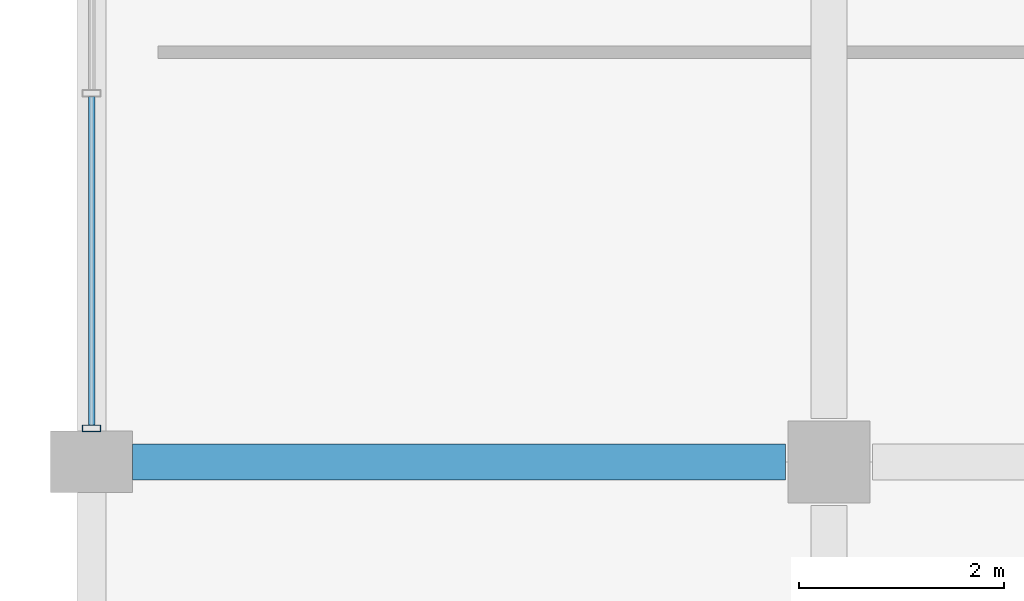
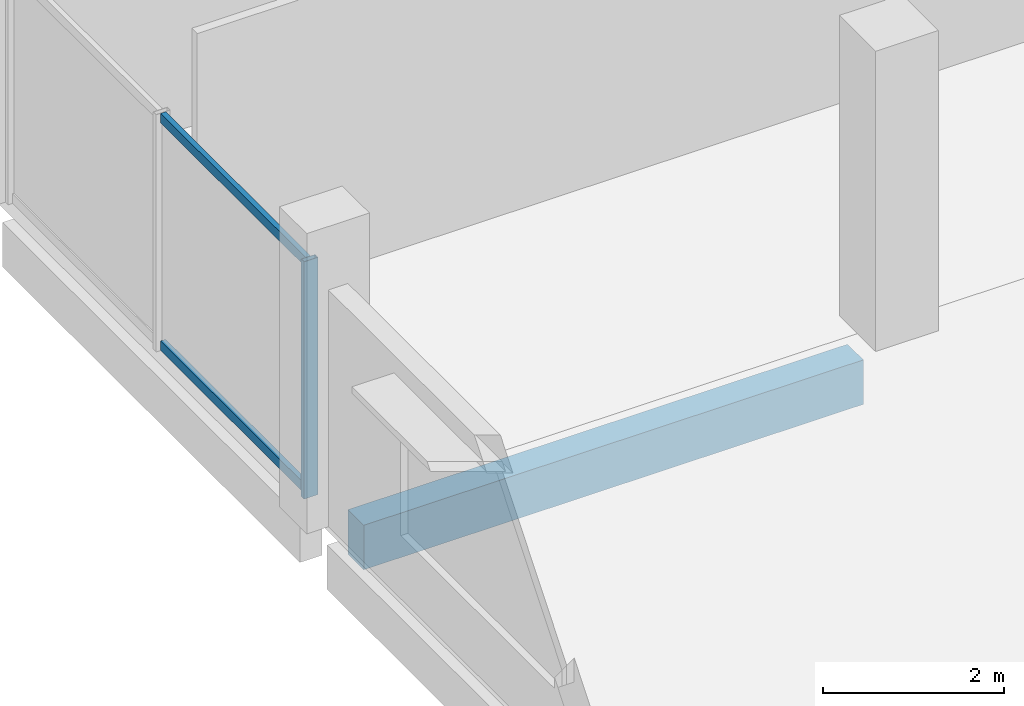
# One storey, part 11 of 108: 3 members, 1 beam, 1 element without a shape of its own.
"""IFC4 building model written with IfcOpenShell, lengths in metres."""

import ifcopenshell
import ifcopenshell.guid

model = None  # the IFC model being written
_history = None  # IfcOwnerHistory: only IFC2X3 demands one
_inside = {}  # id of a spatial element -> (the spatial element, [elements in it])
_under = {}  # id of a project, library or spatial element -> (it, [spatial elements below it])
_declared = {}  # id of a project -> (the project, [libraries it declares])
_typed = {}  # id of a type object -> (the type object, [elements of that type])
_made_of = {}  # id of a material, layer set ... -> (it, [elements and type objects made of it])


def new_model(schema):
    """Start an empty IFC model of exactly this schema.

    Asked for "IFC4X3", IfcOpenShell would pick the latest addendum, in which some entities
    have other attributes; the version numbers below select the first issue.
    IFC2X3 requires an IfcOwnerHistory on every rooted entity: one is made here for all.
    """
    global model, _history
    if schema == "IFC4X3":
        model = ifcopenshell.file(schema_version=(4, 3, 0, 0))
    else:
        model = ifcopenshell.file(schema=schema)
    _inside.clear()
    _under.clear()
    _declared.clear()
    _typed.clear()
    _made_of.clear()
    _history = None
    if model.schema == "IFC2X3":
        org = make("IfcOrganization", Name="unknown")
        user = make(
            "IfcPersonAndOrganization",
            ThePerson=make("IfcPerson", FamilyName="unknown"),
            TheOrganization=org,
        )
        app = make(
            "IfcApplication",
            ApplicationDeveloper=org,
            Version="unknown",
            ApplicationFullName="unknown",
            ApplicationIdentifier="unknown",
        )
        _history = make(
            "IfcOwnerHistory",
            OwningUser=user,
            OwningApplication=app,
            ChangeAction="ADDED",
            CreationDate=0,
        )
    return model


def make(cls, **values):
    """One entity of the class cls with the attributes given. An attribute that is None is left unset."""
    return model.create_entity(
        cls, **{name: value for name, value in values.items() if value is not None}
    )


def rooted(cls, **values):
    """An entity with a GlobalId (a new one), such as an element, a storey or a relation."""
    return make(cls, GlobalId=ifcopenshell.guid.new(), OwnerHistory=_history, **values)


def si_unit(unit_type, name, prefix=None):
    """IfcSIUnit, for example si_unit("LENGTHUNIT", "METRE", prefix="MILLI")."""
    return make("IfcSIUnit", UnitType=unit_type, Prefix=prefix, Name=name)


def assignment(units):
    """IfcUnitAssignment: the units of a project."""
    return None if units is None else make("IfcUnitAssignment", Units=units)


def point(xyz):
    """IfcCartesianPoint."""
    return None if xyz is None else make("IfcCartesianPoint", Coordinates=xyz)


def direction(xyz):
    """IfcDirection."""
    return None if xyz is None else make("IfcDirection", DirectionRatios=xyz)


def frame(location, z_axis=None, x_axis=None):
    """IfcAxis2Placement3D, a coordinate frame: its origin and axes. An axis left out is left unset."""
    return make(
        "IfcAxis2Placement3D",
        Location=point(location),
        Axis=direction(z_axis),
        RefDirection=direction(x_axis),
    )


def frame_2d(location, x_axis=None):
    """IfcAxis2Placement2D, a coordinate frame in the plane: its origin and x axis."""
    return make(
        "IfcAxis2Placement2D", Location=point(location), RefDirection=direction(x_axis)
    )


def origin():
    """The frame at (0, 0, 0) with its axes left unset."""
    return frame((0.0, 0.0, 0.0))


def origin_2d():
    """The frame at (0, 0) in the plane with its x axis left unset."""
    return frame_2d((0.0, 0.0))


def place(relative_to, where):
    """IfcLocalPlacement: puts the frame where relative to a parent placement (None: the world)."""
    return make(
        "IfcLocalPlacement", PlacementRelTo=relative_to, RelativePlacement=where
    )


def context(
    kind, dimensions, precision=None, world=None, true_north=None, identifier=None
):
    """IfcGeometricRepresentationContext, for example the 3D "Model" context."""
    return make(
        "IfcGeometricRepresentationContext",
        ContextIdentifier=identifier,
        ContextType=kind,
        CoordinateSpaceDimension=dimensions,
        Precision=precision,
        WorldCoordinateSystem=world,
        TrueNorth=true_north,
    )


def subcontext(parent, identifier, kind, view, scale=None):
    """IfcGeometricRepresentationSubContext, for example "Body" below "Model"."""
    return make(
        "IfcGeometricRepresentationSubContext",
        ContextIdentifier=identifier,
        ContextType=kind,
        ParentContext=parent,
        TargetScale=scale,
        TargetView=view,
    )


def project(units=None, contexts=None):
    """IfcProject with its units and contexts."""
    return rooted(
        "IfcProject",
        Name="project",
        RepresentationContexts=contexts,
        UnitsInContext=assignment(units),
    )


def spatial(cls, under=None, at=None, **own):
    """A site, building, storey or space (cls), placed at a placement, below another one or the project."""
    s = rooted(cls, ObjectPlacement=at, **own)
    if under is not None:
        _under.setdefault(under.id(), (under, []))[1].append(s)
    return s


def profile(cls, at=None, kind="AREA", **sizes):
    """A parametric profile (cls). Its sizes go by their IFC names, for example OverallWidth=200.0."""
    return make(cls, ProfileType=kind, Position=at, **sizes)


def rectangle(**sizes):
    """IfcRectangleProfileDef."""
    return profile("IfcRectangleProfileDef", **sizes)


def hollow_rectangle(**sizes):
    """IfcRectangleHollowProfileDef."""
    return profile("IfcRectangleHollowProfileDef", **sizes)


def extrude(swept, where, along, depth):
    """IfcExtrudedAreaSolid: the profile swept, set in the frame where, extruded along a direction by depth."""
    return make(
        "IfcExtrudedAreaSolid",
        SweptArea=swept,
        Position=where,
        ExtrudedDirection=direction(along),
        Depth=depth,
    )


def shape(context_of_items, identifier, shape_type, items):
    """IfcShapeRepresentation: the items that make up one representation, for example the "Body"."""
    return make(
        "IfcShapeRepresentation",
        ContextOfItems=context_of_items,
        RepresentationIdentifier=identifier,
        RepresentationType=shape_type,
        Items=items,
    )


def material(Name=None, Category=None):
    """IfcMaterial."""
    return make("IfcMaterial", Name=Name, Category=Category)


def layer(
    of_material, thickness, ventilated=None, Name=None, Category=None, Priority=None
):
    """IfcMaterialLayer: one layer of a wall or slab, of a material (None: an air gap)."""
    return make(
        "IfcMaterialLayer",
        Material=of_material,
        LayerThickness=thickness,
        IsVentilated=ventilated,
        Name=Name,
        Category=Category,
        Priority=Priority,
    )


def layer_set(layers, Name=None):
    """IfcMaterialLayerSet."""
    return make("IfcMaterialLayerSet", MaterialLayers=layers, LayerSetName=Name)


def material_profile(
    of_material, cross_section, Name=None, Category=None, Priority=None
):
    """IfcMaterialProfile: a cross section and its material."""
    return make(
        "IfcMaterialProfile",
        Name=Name,
        Material=of_material,
        Profile=cross_section,
        Priority=Priority,
        Category=Category,
    )


def profile_set(profiles, Name=None, composite=None):
    """IfcMaterialProfileSet."""
    return make(
        "IfcMaterialProfileSet",
        Name=Name,
        MaterialProfiles=profiles,
        CompositeProfile=composite,
    )


def made_of(thing, what):
    """Note that an element or type object is made of a material, layer set ...; save() writes the relation."""
    if what is not None:
        _made_of.setdefault(what.id(), (what, []))[1].append(thing)
    return thing


def type_object(cls, material=None, **own):
    """A type object (cls), such as IfcWallType, which elements share."""
    return made_of(rooted(cls, **own), material)


def element(
    cls,
    number,
    at=None,
    inside=None,
    cuts=None,
    type_object=None,
    material=None,
    context=None,
    identifier="Body",
    shape_type=None,
    held_by="IfcProductDefinitionShape",
    body=None,
    shapes=None,
    **own,
):
    """One element of the class cls, such as IfcWall. Its Tag is "e" and its number.

    at: its placement. inside: the storey or other place that contains it. cuts: it is an
    opening in that element (IfcRelVoidsElement). A single representation is given by context,
    identifier, shape_type and body (its items); several are given by shapes. held_by: the class
    of the entity that holds the representations. save() writes the other relations.
    """
    e = rooted(cls, Tag="e%d" % number, ObjectPlacement=at, **own)
    if body is not None:
        shapes = [shape(context, identifier, shape_type, body)]
    if shapes is not None:
        e.Representation = make(held_by, Representations=shapes)
    if inside is not None:
        _inside.setdefault(inside.id(), (inside, []))[1].append(e)
    if cuts is not None:
        rooted(
            "IfcRelVoidsElement", RelatingBuildingElement=cuts, RelatedOpeningElement=e
        )
    if type_object is not None:
        _typed.setdefault(type_object.id(), (type_object, []))[1].append(e)
    return made_of(e, material)


def aggregate(whole, parts):
    """IfcRelAggregates: a whole, such as a stair, and the parts it consists of."""
    return rooted("IfcRelAggregates", RelatingObject=whole, RelatedObjects=parts)


def save(model, path):
    """Write the relations noted so far, then the file.

    IfcRelAggregates (storeys below a building ...), IfcRelContainedInSpatialStructure (elements
    in a storey), IfcRelDefinesByType, IfcRelAssociatesMaterial and IfcRelDeclares: one each for
    every whole, place, type object, material and project.
    """
    for whole, parts in _under.values():
        aggregate(whole, parts)
    for where, things in _inside.values():
        rooted(
            "IfcRelContainedInSpatialStructure",
            RelatedElements=things,
            RelatingStructure=where,
        )
    for kind, things in _typed.values():
        rooted("IfcRelDefinesByType", RelatedObjects=things, RelatingType=kind)
    for what, things in _made_of.values():
        rooted("IfcRelAssociatesMaterial", RelatedObjects=things, RelatingMaterial=what)
    for by, libraries in _declared.values():
        rooted("IfcRelDeclares", RelatingContext=by, RelatedDefinitions=libraries)
    model.write(path)


model = new_model("IFC4")

# Units and contexts
model_context = context("Model", 3, precision=1e-05, world=origin(), true_north=direction((0.0, 1.0)))
body_context = subcontext(model_context, "Body", "Model", "MODEL_VIEW")
ifc_project = project(units=[si_unit("LENGTHUNIT", "METRE"), si_unit("AREAUNIT", "SQUARE_METRE"), si_unit("VOLUMEUNIT", "CUBIC_METRE"), si_unit("PLANEANGLEUNIT", "RADIAN"), si_unit("MASSUNIT", "GRAM", prefix="KILO")], contexts=[model_context])

# Site, building, storey
site_placement = place(None, origin())
site = spatial("IfcSite", under=ifc_project, at=site_placement, CompositionType="ELEMENT")
building_placement = place(site_placement, origin())
building = spatial("IfcBuilding", under=site, at=building_placement, Name="Kangsadwip Square Police Headquarters", CompositionType="ELEMENT")
storey_placement = place(building_placement, frame((0.0, 0.0, 9.449951171875)))
storey = spatial("IfcBuildingStorey", under=building, at=storey_placement, Name="L02", CompositionType="ELEMENT", Elevation=9.449951171875)

# Curtain wall, members
ifc_material_1 = material(Name="Thermally broken anodised aluminium AW-6063-T6", Category="aluminium")
ifc_layer = layer(ifc_material_1, 0.159912109375)
ifc_layer_set = layer_set([ifc_layer], Name="Thermally broken anodised aluminium AW-6063-T6")
curtain_wall_type = type_object("IfcCurtainWallType", Name="UnitisedCw6610x3200", PredefinedType="NOTDEFINED", material=ifc_layer_set)
curtain_wall_placement = place(storey_placement, origin())
curtain_wall = element("IfcCurtainWall", 1, at=curtain_wall_placement, inside=storey, type_object=curtain_wall_type, Name="Curtain Wall CW-L02-0000-0939", PredefinedType="NOTDEFINED")
ifc_material_2 = material(Name="Thermally broken anodised aluminium AW-6063-T6", Category="aluminium")
ifc_material_profile_1 = material_profile(ifc_material_2, hollow_rectangle(XDim=0.06494140625, YDim=0.179931640625, WallThickness=0.00390625, at=origin_2d()), Name="CWM 180X65X4")
ifc_profile_set_1 = profile_set([ifc_material_profile_1], Name="Thermally broken anodised aluminium AW-6063-T6")
member_type_1 = type_object("IfcMemberType", Name="CwMullion160x65", PredefinedType="MULLION", material=ifc_profile_set_1)
member_1_placement = place(storey_placement, frame((0.0, 93.927490234375, 0.0), z_axis=(0.0, 0.0, 1.0), x_axis=(0.0, 1.0, 0.0)))
member_1 = element("IfcMember", 2, at=member_1_placement, type_object=member_type_1, Name="CW-28 mullion 1", PredefinedType="MULLION", context=body_context, shape_type="SweptSolid", body=[
    extrude(hollow_rectangle(XDim=0.06494140625, YDim=0.179931640625, WallThickness=0.00390625, at=origin_2d()), origin(), (0.0, 0.0, 1.0), 3.199951171875),
])
ifc_material_3 = material(Name="Thermally broken anodised aluminium AW-6063-T6", Category="aluminium")
ifc_material_profile_2 = material_profile(ifc_material_3, hollow_rectangle(XDim=0.06494140625, YDim=0.1298828125, WallThickness=0.00390625, at=origin_2d()), Name="CWT 130X65X4")
ifc_profile_set_2 = profile_set([ifc_material_profile_2], Name="Thermally broken anodised aluminium AW-6063-T6")
member_type_2 = type_object("IfcMemberType", Name="CwTransom140x60", PredefinedType="USERDEFINED", material=ifc_profile_set_2)
member_2_placement = place(storey_placement, frame((0.0, 93.9599609375, 0.06494140625), z_axis=(0.0, 1.0, 0.0), x_axis=(-1.0, 0.0, 0.0)))
member_2 = element("IfcMember", 3, at=member_2_placement, type_object=member_type_2, Name="CW-28 transom 1.1", ObjectType="TRANSOM", PredefinedType="USERDEFINED", context=body_context, shape_type="SweptSolid", body=[
    extrude(hollow_rectangle(XDim=0.06494140625, YDim=0.1298828125, WallThickness=0.00390625, at=origin_2d()), origin(), (0.0, 0.0, 1.0), 3.20751953125),
])
member_3_placement = place(storey_placement, frame((0.0, 93.9599609375, 3.135009765625), z_axis=(0.0, 1.0, 0.0), x_axis=(-1.0, 0.0, 0.0)))
member_3 = element("IfcMember", 4, at=member_3_placement, type_object=member_type_2, Name="CW-28 transom 1.2", ObjectType="TRANSOM", PredefinedType="USERDEFINED", context=body_context, shape_type="SweptSolid", body=[
    extrude(hollow_rectangle(XDim=0.06494140625, YDim=0.1298828125, WallThickness=0.00390625, at=origin_2d()), origin(), (0.0, 0.0, 1.0), 3.20751953125),
])
aggregate(curtain_wall, [member_1, member_2, member_3])

# Beam
ifc_material_4 = material(Name="Concrete M35 (35 MPa)", Category="concrete")
ifc_material_profile_3 = material_profile(ifc_material_4, rectangle(XDim=0.35009765625, YDim=0.60009765625, at=origin_2d()), Name="RC BM 600X350")
ifc_profile_set_3 = profile_set([ifc_material_profile_3], Name="Concrete M35 (35 MPa)")
beam_type = type_object("IfcBeamType", Name="RcBeam600x350", PredefinedType="BEAM", material=ifc_profile_set_3)
beam_placement = place(storey_placement, frame((0.39990234375, 93.60009765625, -0.5400390625), z_axis=(1.0, 0.0, 0.0), x_axis=(0.0, 1.0, 0.0)))
element("IfcBeam", 5, at=beam_placement, inside=storey, type_object=beam_type, Name="Beam BM-L02-X-00-13", PredefinedType="BEAM", context=body_context, shape_type="SweptSolid", body=[
    extrude(rectangle(XDim=0.35009765625, YDim=0.60009765625, at=origin_2d()), origin(), (0.0, 0.0, 1.0), 6.375),
])

save(model, "model.ifc")
